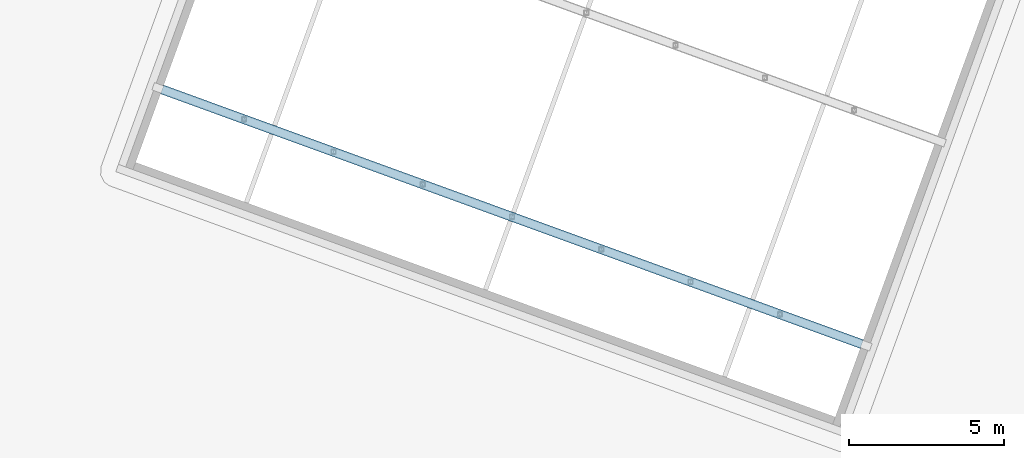
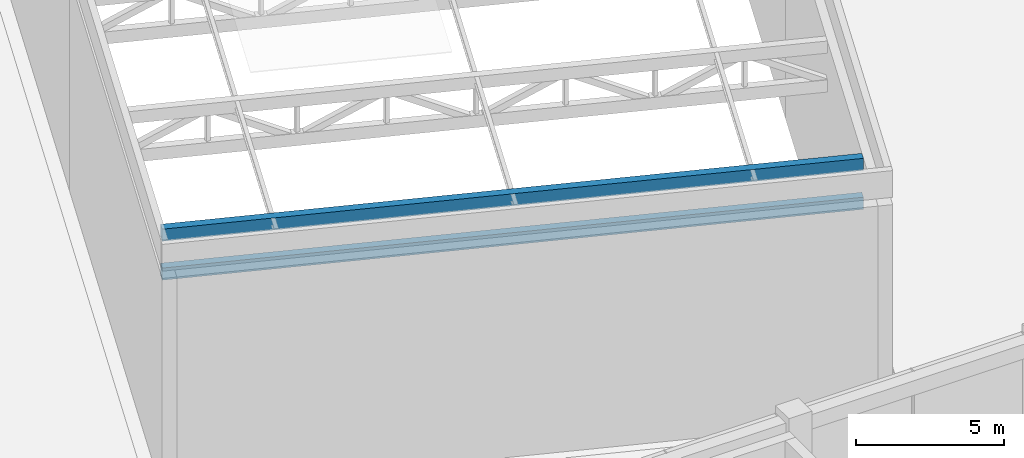
# One storey, part 25 of 72: 2 members.
"""IFC4 building model written with IfcOpenShell, lengths in metres."""

from ifc_helpers import new_model, si_unit, direction, frame, origin, origin_2d, place, context, subcontext, project, spatial, hollow_rectangle, extrude, material, material_profile, profile_set, type_object, element, save


model = new_model("IFC4")

# Units and contexts
model_context = context("Model", 3, precision=1e-05, world=origin(), true_north=direction((0.0, 1.0)))
body_context = subcontext(model_context, "Body", "Model", "MODEL_VIEW")
ifc_project = project(units=[si_unit("LENGTHUNIT", "METRE"), si_unit("AREAUNIT", "SQUARE_METRE"), si_unit("VOLUMEUNIT", "CUBIC_METRE"), si_unit("PLANEANGLEUNIT", "RADIAN"), si_unit("MASSUNIT", "GRAM", prefix="KILO")], contexts=[model_context])

# Site, building, storey
site_placement = place(None, origin())
site = spatial("IfcSite", under=ifc_project, at=site_placement, CompositionType="ELEMENT")
building_placement = place(site_placement, origin())
building = spatial("IfcBuilding", under=site, at=building_placement, Name="Nzadi Deep Aquarium and Research Tower", CompositionType="ELEMENT")
storey_placement = place(building_placement, frame((0.0, 0.0, 31.89990234375)))
storey = spatial("IfcBuildingStorey", under=building, at=storey_placement, Name="L05", CompositionType="ELEMENT", Elevation=31.89990234375)

# Members
ifc_material = material(Name="Steel S355", Category="steel")
ifc_material_profile = material_profile(ifc_material, hollow_rectangle(XDim=0.300048828125, YDim=0.5, WallThickness=0.01611328125, at=origin_2d()))
ifc_profile_set = profile_set([ifc_material_profile], Name="Steel S355")
member_type = type_object("IfcMemberType", Name="RHS 500x300x16 chord", PredefinedType="CHORD", material=ifc_profile_set)
for number, where, z_axis, x_axis, name in (
    (1, (12.393310546875, 60.208740234375, 8.550048828125), (0.939696264005, -0.342010133499, 0.0), (0.342010133499, 0.939696264005, 0.0), "MB-PR-R1-T1-TOP"),
    (2, (12.393310546875, 60.208740234375, 6.9501953125), (0.939696264005, -0.342010133499, 0.0), (0.342010133499, 0.939696264005, 0.0), "MB-PR-R1-T1-BOT"),
):
    element("IfcMember", number, at=place(storey_placement, frame(where, z_axis=z_axis, x_axis=x_axis)), inside=storey, type_object=member_type, Name=name, PredefinedType="CHORD", context=body_context, shape_type="SweptSolid", body=[
        extrude(hollow_rectangle(XDim=0.300048828125, YDim=0.5, WallThickness=0.01611328125, at=origin_2d()), origin(), (0.0, 0.0, 1.0), 24.0),
    ])

save(model, "model.ifc")
